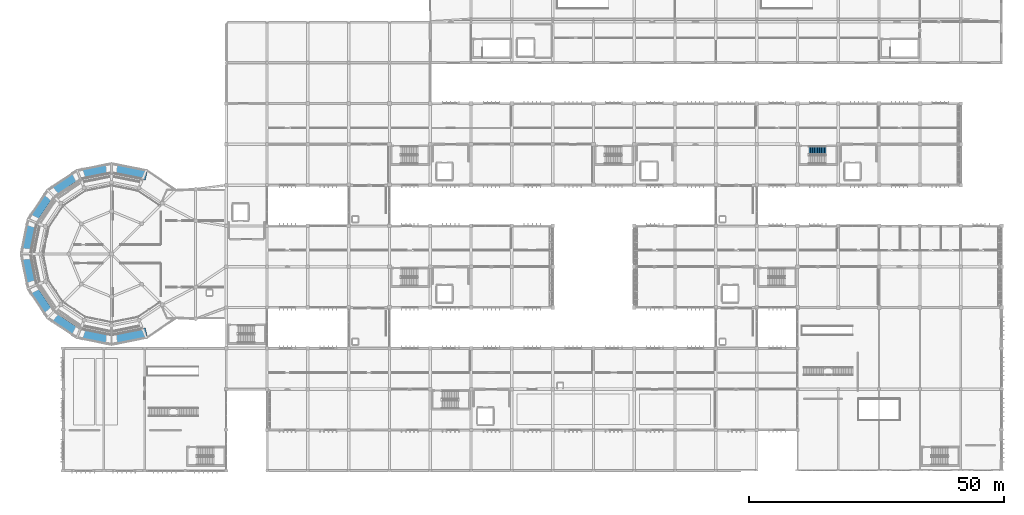
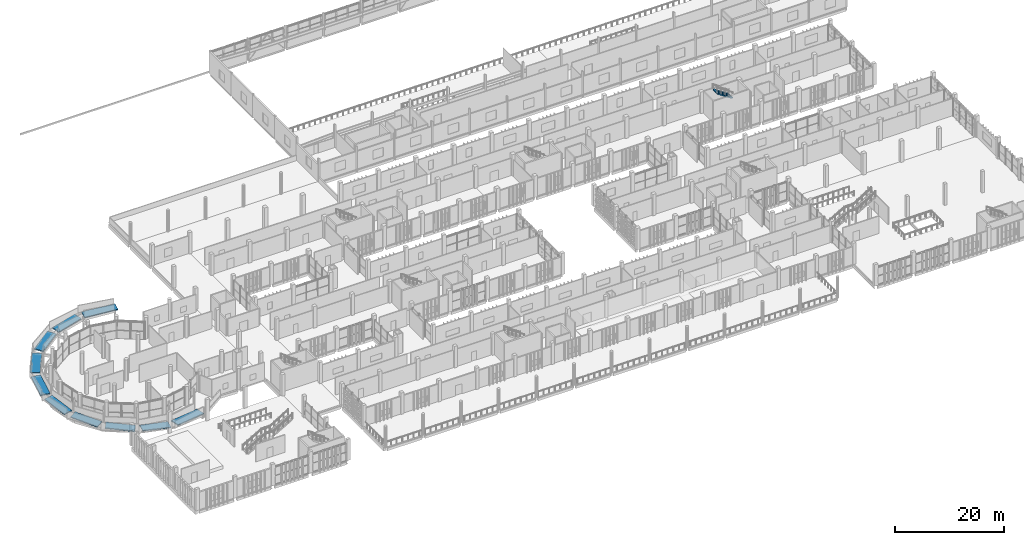
# One storey, part 94 of 106: 10 ramp flights, 1 stair flight, 2 elements without a shape of their own.
"""IFC4 building model written with IfcOpenShell, lengths in metres."""

from ifc_helpers import new_model, si_unit, direction, frame, origin, place, context, subcontext, project, spatial, polyline, outline, extrude, material, type_object, element, aggregate, save


model = new_model("IFC4")

# Units and contexts
model_context = context("Model", 3, precision=1e-05, world=origin(), true_north=direction((0.0, 1.0)))
body_context = subcontext(model_context, "Body", "Model", "MODEL_VIEW")
ifc_project = project(units=[si_unit("LENGTHUNIT", "METRE"), si_unit("AREAUNIT", "SQUARE_METRE"), si_unit("VOLUMEUNIT", "CUBIC_METRE"), si_unit("PLANEANGLEUNIT", "RADIAN"), si_unit("MASSUNIT", "GRAM", prefix="KILO")], contexts=[model_context])

# Site, building, storey
site_placement = place(None, origin())
site = spatial("IfcSite", under=ifc_project, at=site_placement, CompositionType="ELEMENT")
building_placement = place(site_placement, origin())
building = spatial("IfcBuilding", under=site, at=building_placement, Name="Jelvoka-Kovrelna Polytechnic", CompositionType="ELEMENT")
storey_placement = place(building_placement, frame((0.0, 0.0, 4.800048828125)))
storey = spatial("IfcBuildingStorey", under=building, at=storey_placement, Name="L02", CompositionType="ELEMENT", Elevation=4.800048828125)

# Stair, stair flight
ifc_material_1 = material(Name="Concrete C35/45", Category="concrete")
stair_type = type_object("IfcStairType", Name="Stair_Dogleg_1620", PredefinedType="TWO_STRAIGHT_RUN_STAIR", material=ifc_material_1)
stair_placement = place(storey_placement, origin())
stair = element("IfcStair", 1, at=stair_placement, inside=storey, type_object=stair_type, Name="L02 ST10", PredefinedType="TWO_STRAIGHT_RUN_STAIR")
ifc_material_2 = material(Name="Concrete C35/45", Category="concrete")
stair_flight_type = type_object("IfcStairFlightType", Name="Flight_RC_185", PredefinedType="STRAIGHT", material=ifc_material_2)
stair_flight_placement = place(storey_placement, frame((165.550048828125, 62.830078125, 2.39990234375), z_axis=(0.0, 0.0, 1.0), x_axis=(-1.0, 0.0, 0.0)))
stair_flight = element("IfcStairFlight", 2, at=stair_flight_placement, type_object=stair_flight_type, Name="ST10 flight 2", NumberOfRisers=13, NumberOfTreads=12, PredefinedType="STRAIGHT", RiserHeight=0.184615385, TreadLength=0.275, context=body_context, shape_type="SweptSolid", body=[
    extrude(outline(polyline([(0.0, 0.0), (0.0, 0.1845703125), (0.27490234375, 0.1845703125), (0.27490234375, 0.369140625), (0.550048828125, 0.369140625), (0.550048828125, 0.553955078125), (0.824951171875, 0.553955078125), (0.824951171875, 0.738525390625), (1.10009765625, 0.738525390625), (1.10009765625, 0.923095703125), (1.375, 0.923095703125), (1.375, 1.107666015625), (1.64990234375, 1.107666015625), (1.64990234375, 1.292236328125), (1.925048828125, 1.292236328125), (1.925048828125, 1.476806640625), (2.199951171875, 1.476806640625), (2.199951171875, 1.66162109375), (2.47509765625, 1.66162109375), (2.47509765625, 1.84619140625), (2.75, 1.84619140625), (2.75, 2.03076171875), (3.02490234375, 2.03076171875), (3.02490234375, 2.21533203125), (3.300048828125, 2.21533203125), (3.300048828125, 2.39990234375), (3.300048828125, 1.998779296875), (0.32275390625, 0.0), (0.0, 0.0)])), frame((0.0, 0.81005859375, 0.0), z_axis=(0.0, -1.0, 0.0), x_axis=(1.0, 0.0, 0.0)), (0.0, 0.0, 1.0), 1.6201171875),
])
aggregate(stair, [stair_flight])

# Ramp, ramp flights
ifc_material_3 = material(Name="Precast concrete C40/50", Category="concrete")
ramp_type = type_object("IfcRampType", Name="Ramp_Accessible_RC", PredefinedType="SPIRAL_RAMP", material=ifc_material_3)
ramp_placement = place(storey_placement, origin())
ramp = element("IfcRamp", 3, at=ramp_placement, inside=storey, type_object=ramp_type, Name="L02 spiral rotunda accessible ramp", PredefinedType="SPIRAL_RAMP")
ramp_flight_type = type_object("IfcRampFlightType", Name="RampFlight_RC_220", PredefinedType="STRAIGHT", material=ifc_material_3)
ramp_flight_1_placement = place(None, frame((32.32666015625, 27.0947265625, 4.800048828125), z_axis=(0.0, 0.0, 1.0), x_axis=(-0.97485927699, -0.222821430898, 0.0)))
ramp_flight_1 = element("IfcRampFlight", 4, at=ramp_flight_1_placement, type_object=ramp_flight_type, Name="L02 rotunda spiral ramp flight F01", PredefinedType="STRAIGHT", context=body_context, shape_type="SweptSolid", body=[
    extrude(outline(polyline([(0.0, 0.0), (6.444580078125, 0.47998046875), (6.444580078125, 0.260009765625), (0.0, -0.219970703125), (0.0, 0.0)])), frame((0.0, 0.929931640625, 0.0), z_axis=(0.0, -1.0, 0.0), x_axis=(1.0, 0.0, 0.0)), (0.0, 0.0, 1.0), 1.860107421875),
])
ramp_flight_2_placement = place(None, frame((24.9560546875, 25.65869140625, 5.280029296875), z_axis=(0.0, 0.0, 1.0), x_axis=(-0.980784885236, 0.195092308646, 0.0)))
ramp_flight_2 = element("IfcRampFlight", 5, at=ramp_flight_2_placement, type_object=ramp_flight_type, Name="L02 rotunda spiral ramp flight F02", PredefinedType="STRAIGHT", context=body_context, shape_type="SweptSolid", body=[
    extrude(outline(polyline([(0.0, 0.0), (5.504150390625, 0.47998046875), (5.504150390625, 0.260009765625), (0.0, -0.219970703125), (0.0, 0.0)])), frame((0.0, 0.929931640625, 0.0), z_axis=(0.0, -1.0, 0.0), x_axis=(1.0, 0.0, 0.0)), (0.0, 0.0, 1.0), 1.860107421875),
])
ramp_flight_3_placement = place(None, frame((18.552490234375, 27.14892578125, 5.760009765625), z_axis=(0.0, 0.0, 1.0), x_axis=(-0.831471251924, 0.555567779145, 0.0)))
ramp_flight_3 = element("IfcRampFlight", 6, at=ramp_flight_3_placement, type_object=ramp_flight_type, Name="L02 rotunda spiral ramp flight F03", PredefinedType="STRAIGHT", context=body_context, shape_type="SweptSolid", body=[
    extrude(outline(polyline([(0.0, 0.0), (5.504150390625, 0.47998046875), (5.504150390625, 0.260009765625), (0.0, -0.219970703125), (0.0, 0.0)])), frame((0.0, 0.929931640625, 0.0), z_axis=(0.0, -1.0, 0.0), x_axis=(1.0, 0.0, 0.0)), (0.0, 0.0, 1.0), 1.860107421875),
])
ramp_flight_4_placement = place(None, frame((13.206787109375, 30.97607421875, 6.239990234375), z_axis=(0.0, 0.0, 1.0), x_axis=(-0.555567779145, 0.831471251924, 0.0)))
ramp_flight_4 = element("IfcRampFlight", 7, at=ramp_flight_4_placement, type_object=ramp_flight_type, Name="L02 rotunda spiral ramp flight F04", PredefinedType="STRAIGHT", context=body_context, shape_type="SweptSolid", body=[
    extrude(outline(polyline([(0.0, 0.0), (5.504150390625, 0.47998046875), (5.504150390625, 0.260009765625), (0.0, -0.219970703125), (0.0, 0.0)])), frame((0.0, 0.929931640625, 0.0), z_axis=(0.0, -1.0, 0.0), x_axis=(1.0, 0.0, 0.0)), (0.0, 0.0, 1.0), 1.860107421875),
])
ramp_flight_5_placement = place(None, frame((9.732666015625, 36.5576171875, 6.719970703125), z_axis=(0.0, 0.0, 1.0), x_axis=(-0.195092308646, 0.980784885236, 0.0)))
ramp_flight_5 = element("IfcRampFlight", 8, at=ramp_flight_5_placement, type_object=ramp_flight_type, Name="L02 rotunda spiral ramp flight F05", PredefinedType="STRAIGHT", context=body_context, shape_type="SweptSolid", body=[
    extrude(outline(polyline([(0.0, 0.0), (5.504150390625, 0.47998046875), (5.504150390625, 0.260009765625), (0.0, -0.219970703125), (0.0, 0.0)])), frame((0.0, 0.929931640625, 0.0), z_axis=(0.0, -1.0, 0.0), x_axis=(1.0, 0.0, 0.0)), (0.0, 0.0, 1.0), 1.860107421875),
])
ramp_flight_6_placement = place(None, frame((8.65869140625, 43.0439453125, 7.199951171875), z_axis=(0.0, 0.0, 1.0), x_axis=(0.195092308646, 0.980784885236, 0.0)))
ramp_flight_6 = element("IfcRampFlight", 9, at=ramp_flight_6_placement, type_object=ramp_flight_type, Name="L02 rotunda spiral ramp flight F06", PredefinedType="STRAIGHT", context=body_context, shape_type="SweptSolid", body=[
    extrude(outline(polyline([(0.0, 0.0), (5.504150390625, 0.47998046875), (5.504150390625, 0.260009765625), (0.0, -0.219970703125), (0.0, 0.0)])), frame((0.0, 0.929931640625, 0.0), z_axis=(0.0, -1.0, 0.0), x_axis=(1.0, 0.0, 0.0)), (0.0, 0.0, 1.0), 1.860107421875),
])
ramp_flight_7_placement = place(None, frame((10.14892578125, 49.447509765625, 7.679931640625), z_axis=(0.0, 0.0, 1.0), x_axis=(0.555567779145, 0.831471251924, 0.0)))
ramp_flight_7 = element("IfcRampFlight", 10, at=ramp_flight_7_placement, type_object=ramp_flight_type, Name="L02 rotunda spiral ramp flight F07", PredefinedType="STRAIGHT", context=body_context, shape_type="SweptSolid", body=[
    extrude(outline(polyline([(0.0, 0.0), (5.504150390625, 0.47998046875), (5.504150390625, 0.260009765625), (0.0, -0.219970703125), (0.0, 0.0)])), frame((0.0, 0.929931640625, 0.0), z_axis=(0.0, -1.0, 0.0), x_axis=(1.0, 0.0, 0.0)), (0.0, 0.0, 1.0), 1.860107421875),
])
ramp_flight_8_placement = place(None, frame((13.97607421875, 54.793212890625, 8.159912109375), z_axis=(0.0, 0.0, 1.0), x_axis=(0.831471251924, 0.555567779145, 0.0)))
ramp_flight_8 = element("IfcRampFlight", 11, at=ramp_flight_8_placement, type_object=ramp_flight_type, Name="L02 rotunda spiral ramp flight F08", PredefinedType="STRAIGHT", context=body_context, shape_type="SweptSolid", body=[
    extrude(outline(polyline([(0.0, 0.0), (5.504150390625, 0.47998046875), (5.504150390625, 0.260009765625), (0.0, -0.219970703125), (0.0, 0.0)])), frame((0.0, 0.929931640625, 0.0), z_axis=(0.0, -1.0, 0.0), x_axis=(1.0, 0.0, 0.0)), (0.0, 0.0, 1.0), 1.860107421875),
])
ramp_flight_9_placement = place(None, frame((19.5576171875, 58.267333984375, 8.639892578125), z_axis=(0.0, 0.0, 1.0), x_axis=(0.980784885236, 0.195092308646, 0.0)))
ramp_flight_9 = element("IfcRampFlight", 12, at=ramp_flight_9_placement, type_object=ramp_flight_type, Name="L02 rotunda spiral ramp flight F09", PredefinedType="STRAIGHT", context=body_context, shape_type="SweptSolid", body=[
    extrude(outline(polyline([(0.0, 0.0), (5.504150390625, 0.47998046875), (5.504150390625, 0.260009765625), (0.0, -0.219970703125), (0.0, 0.0)])), frame((0.0, 0.929931640625, 0.0), z_axis=(0.0, -1.0, 0.0), x_axis=(1.0, 0.0, 0.0)), (0.0, 0.0, 1.0), 1.860107421875),
])
ramp_flight_10_placement = place(None, frame((26.0439453125, 59.34130859375, 9.1201171875), z_axis=(0.0, 0.0, 1.0), x_axis=(0.97485927699, -0.222821430898, 0.0)))
ramp_flight_10 = element("IfcRampFlight", 13, at=ramp_flight_10_placement, type_object=ramp_flight_type, Name="L02 rotunda spiral ramp flight F10", PredefinedType="STRAIGHT", context=body_context, shape_type="SweptSolid", body=[
    extrude(outline(polyline([(0.0, 0.0), (6.444580078125, 0.47998046875), (6.444580078125, 0.260009765625), (0.0, -0.219970703125), (0.0, 0.0)])), frame((0.0, 0.929931640625, 0.0), z_axis=(0.0, -1.0, 0.0), x_axis=(1.0, 0.0, 0.0)), (0.0, 0.0, 1.0), 1.860107421875),
])
aggregate(ramp, [ramp_flight_1, ramp_flight_2, ramp_flight_3, ramp_flight_4, ramp_flight_5, ramp_flight_6, ramp_flight_7, ramp_flight_8, ramp_flight_9, ramp_flight_10])

save(model, "model.ifc")
